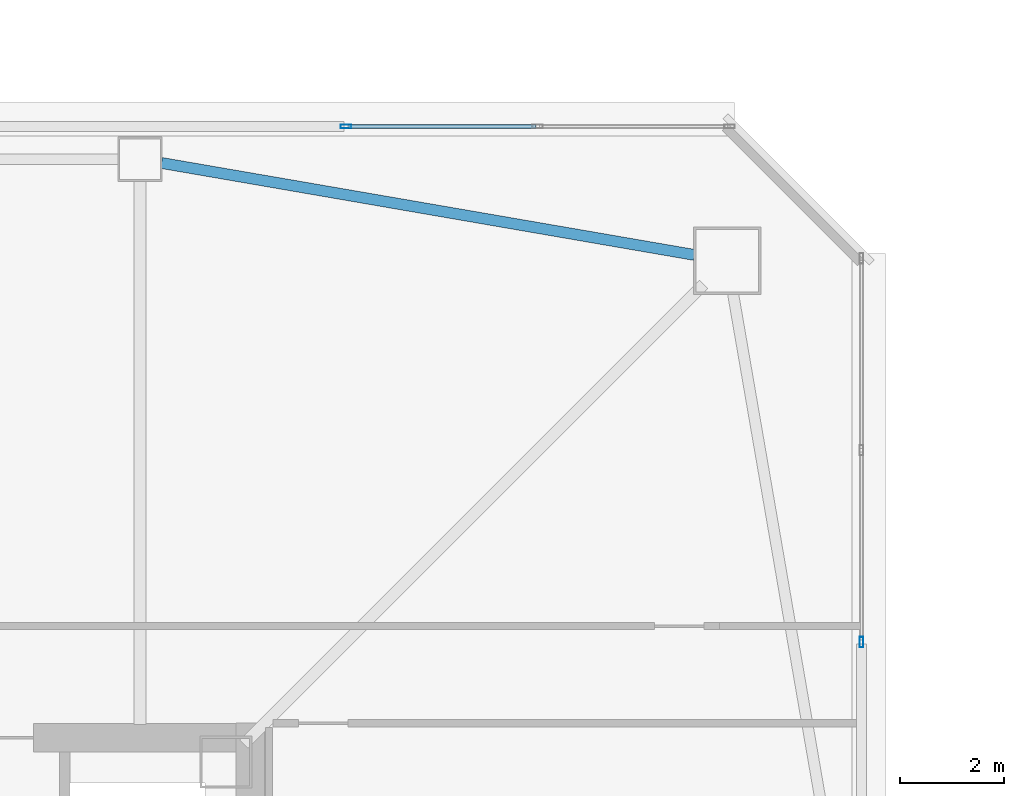
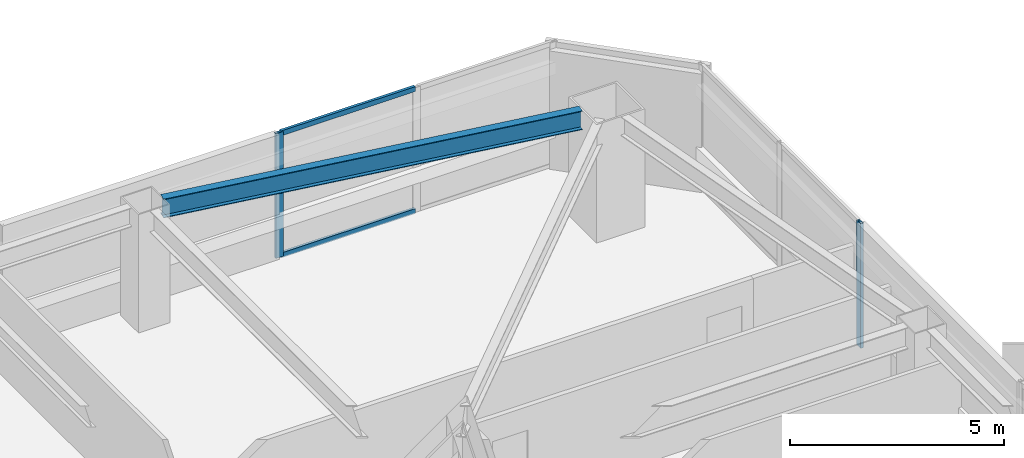
# One storey, part 17 of 48: 4 members, 1 beam, 2 elements without a shape of their own.
"""IFC4 building model written with IfcOpenShell, lengths in metres."""

from ifc_helpers import new_model, si_unit, direction, frame, origin, origin_2d, place, context, subcontext, project, spatial, hollow_rectangle, i_section, extrude, material, material_profile, profile_set, type_object, element, aggregate, save


model = new_model("IFC4")

# Units and contexts
model_context = context("Model", 3, precision=1e-05, world=origin(), true_north=direction((0.0, 1.0)))
body_context = subcontext(model_context, "Body", "Model", "MODEL_VIEW")
ifc_project = project(units=[si_unit("LENGTHUNIT", "METRE"), si_unit("AREAUNIT", "SQUARE_METRE"), si_unit("VOLUMEUNIT", "CUBIC_METRE"), si_unit("PLANEANGLEUNIT", "RADIAN"), si_unit("MASSUNIT", "GRAM", prefix="KILO")], contexts=[model_context])

# Site, building, storey
site_placement = place(None, origin())
site = spatial("IfcSite", under=ifc_project, at=site_placement, CompositionType="ELEMENT")
building_placement = place(site_placement, origin())
building = spatial("IfcBuilding", under=site, at=building_placement, Name="Tashvorn Skyway Center", CompositionType="ELEMENT")
storey_placement = place(building_placement, frame((0.0, 0.0, 125.050048828125)))
storey = spatial("IfcBuildingStorey", under=building, at=storey_placement, Name="L33", CompositionType="ELEMENT", Elevation=125.050048828125)

# Beam
ifc_material_1 = material(Name="Steel ASTM A992 Grade 50", Category="steel")
ifc_material_profile_1 = material_profile(ifc_material_1, i_section(OverallWidth=0.2109375, OverallDepth=0.5390625, WebThickness=0.01171875, FlangeThickness=0.018798828125, at=origin_2d()), Name="W21X73")
ifc_profile_set_1 = profile_set([ifc_material_profile_1], Name="Steel ASTM A992 Grade 50")
beam_type = type_object("IfcBeamType", Name="BM-SPANDREL-W21X73", PredefinedType="SPANDREL", material=ifc_profile_set_1)
beam_placement = place(storey_placement, frame((58.064453125, 48.8095703125, 3.100341796875), z_axis=(-0.985432458462, 0.170067250846, 0.0), x_axis=(-0.170067250846, -0.985432458462, 0.0)))
element("IfcBeam", 1, at=beam_placement, inside=storey, type_object=beam_type, Name="Tower 1 L33 Spandrel Beam 07", PredefinedType="SPANDREL", context=body_context, shape_type="SweptSolid", body=[
    extrude(i_section(OverallWidth=0.2109375, OverallDepth=0.5390625, WebThickness=0.01171875, FlangeThickness=0.018798828125, at=origin_2d()), origin(), (0.0, 0.0, 1.0), 10.402099609375),
])

# Curtain wall, member
ifc_material_2 = material(Name="Thermally broken bronze-anodized aluminium 6063-T6", Category="aluminium")
curtain_wall_type = type_object("IfcCurtainWallType", Name="CW-CW-Z3", PredefinedType="NOTDEFINED", material=ifc_material_2)
curtain_wall_1_placement = place(storey_placement, origin())
curtain_wall_1 = element("IfcCurtainWall", 2, at=curtain_wall_1_placement, inside=storey, type_object=curtain_wall_type, Name="Tower 1 L33 North Unitised Curtain Wall Glazing Group 3", PredefinedType="NOTDEFINED")
ifc_material_profile_2 = material_profile(ifc_material_2, hollow_rectangle(XDim=0.074951171875, YDim=0.199951171875, WallThickness=0.00439453125, at=origin_2d()), Name="ALU-MULL-75x200")
ifc_profile_set_2 = profile_set([ifc_material_profile_2], Name="Thermally broken bronze-anodized aluminium 6063-T6")
member_type_1 = type_object("IfcMemberType", Name="CWM-CW-Z3", PredefinedType="MULLION", material=ifc_profile_set_2)
member_1_placement = place(storey_placement, frame((51.359619140625, 51.280029296875, 0.0), z_axis=(0.0, 0.0, 1.0), x_axis=(0.0, 1.0, 0.0)))
member_1 = element("IfcMember", 3, at=member_1_placement, type_object=member_type_1, Name="CW-Z3 mullion 1", PredefinedType="MULLION", context=body_context, shape_type="SweptSolid", body=[
    extrude(hollow_rectangle(XDim=0.074951171875, YDim=0.199951171875, WallThickness=0.00439453125, at=origin_2d()), origin(), (0.0, 0.0, 1.0), 3.550048828125),
])

curtain_wall_2_placement = place(storey_placement, origin())
curtain_wall_2 = element("IfcCurtainWall", 4, at=curtain_wall_2_placement, inside=storey, type_object=curtain_wall_type, Name="Tower 1 L33 East Unitised Curtain Wall Glazing Group 1", PredefinedType="NOTDEFINED")
member_2_placement = place(storey_placement, frame((61.280029296875, 41.359619140625, 0.0), z_axis=(0.0, 0.0, 1.0), x_axis=(1.0, 0.0, 0.0)))
member_2 = element("IfcMember", 5, at=member_2_placement, type_object=member_type_1, Name="CW-Z3 mullion 3", PredefinedType="MULLION", context=body_context, shape_type="SweptSolid", body=[
    extrude(hollow_rectangle(XDim=0.074951171875, YDim=0.199951171875, WallThickness=0.00439453125, at=origin_2d()), origin(), (0.0, 0.0, 1.0), 3.550048828125),
])
aggregate(curtain_wall_2, [member_2])

# Member
ifc_material_profile_3 = material_profile(ifc_material_2, hollow_rectangle(XDim=0.074951171875, YDim=0.139892578125, WallThickness=0.004150390625, at=origin_2d()), Name="ALU-TRAN-75x140")
ifc_profile_set_3 = profile_set([ifc_material_profile_3], Name="Thermally broken bronze-anodized aluminium 6063-T6")
member_type_2 = type_object("IfcMemberType", Name="CWT-CW-Z3", PredefinedType="USERDEFINED", material=ifc_profile_set_3)
member_3_placement = place(storey_placement, frame((51.397216796875, 51.280029296875, 0.037353515625), z_axis=(1.0, 0.0, 0.0), x_axis=(0.0, 1.0, 0.0)))
member_3 = element("IfcMember", 6, at=member_3_placement, type_object=member_type_2, Name="CW-Z3 transom 1.1", ObjectType="TRANSOM", PredefinedType="USERDEFINED", context=body_context, shape_type="SweptSolid", body=[
    extrude(hollow_rectangle(XDim=0.074951171875, YDim=0.139892578125, WallThickness=0.004150390625, at=origin_2d()), origin(), (0.0, 0.0, 1.0), 3.616455078125),
])

member_4_placement = place(storey_placement, frame((51.397216796875, 51.280029296875, 3.512451171875), z_axis=(1.0, 0.0, 0.0), x_axis=(0.0, 1.0, 0.0)))
member_4 = element("IfcMember", 7, at=member_4_placement, type_object=member_type_2, Name="CW-Z3 transom 1.2", ObjectType="TRANSOM", PredefinedType="USERDEFINED", context=body_context, shape_type="SweptSolid", body=[
    extrude(hollow_rectangle(XDim=0.074951171875, YDim=0.139892578125, WallThickness=0.004150390625, at=origin_2d()), origin(), (0.0, 0.0, 1.0), 3.616455078125),
])

aggregate(curtain_wall_1, [member_1, member_3, member_4])

save(model, "model.ifc")
